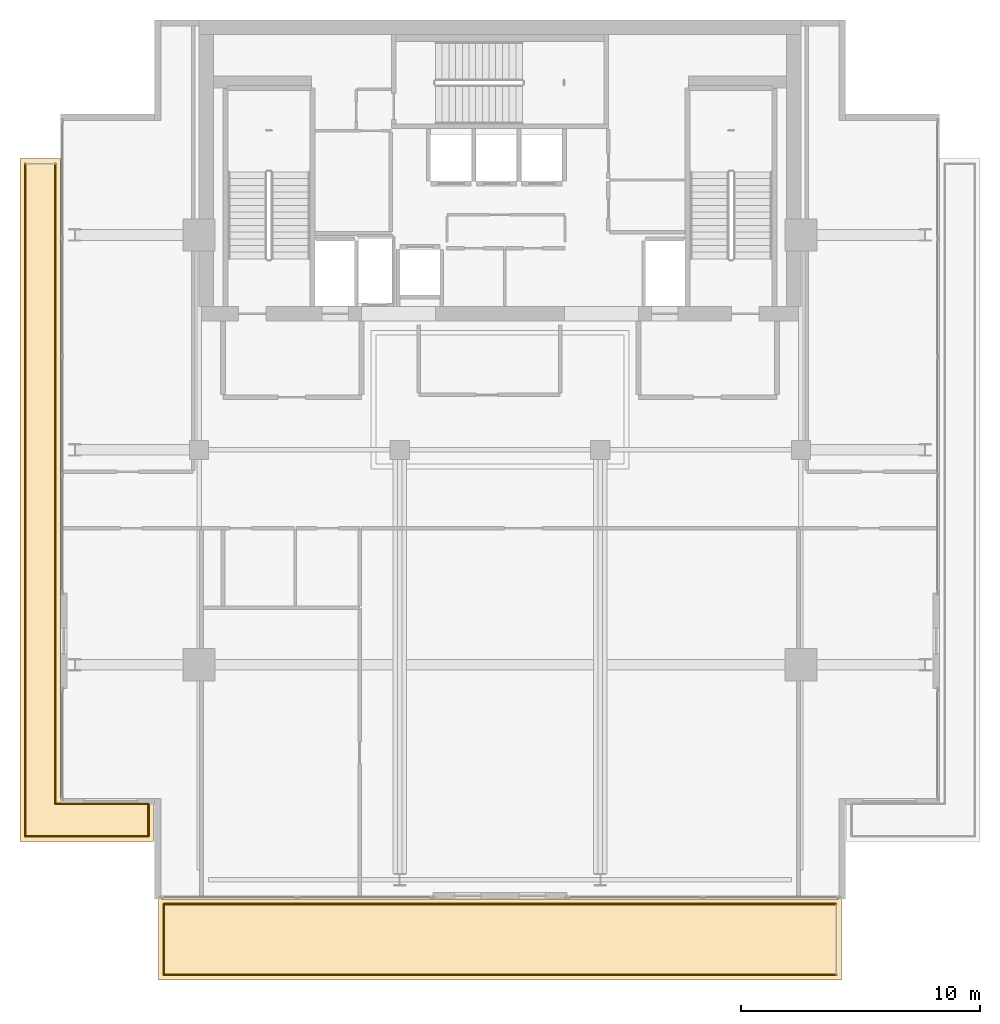
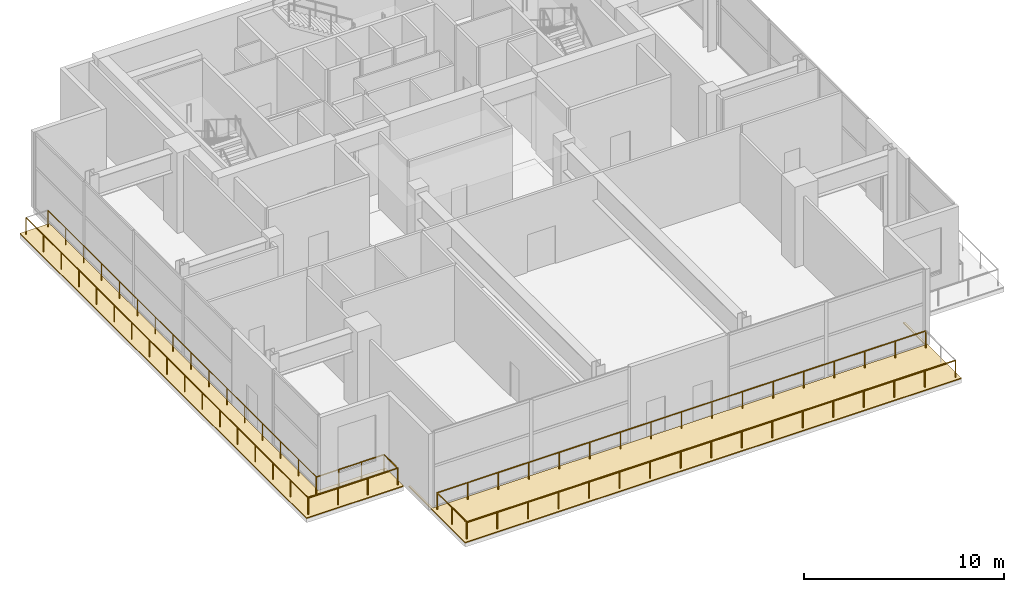
# One storey, part 19 of 22: 8 railings, 2 coverings.
"""IFC4 building model written with IfcOpenShell, lengths in metres."""

from ifc_helpers import new_model, si_unit, direction, frame, origin, origin_2d, place, context, subcontext, project, spatial, polyline, circle, outline, extrude, material, layer, layer_set, type_object, element, save


model = new_model("IFC4")

# Units and contexts
model_context = context("Model", 3, precision=1e-05, world=origin(), true_north=direction((0.0, 1.0)))
body_context = subcontext(model_context, "Body", "Model", "MODEL_VIEW")
ifc_project = project(units=[si_unit("LENGTHUNIT", "METRE"), si_unit("AREAUNIT", "SQUARE_METRE"), si_unit("VOLUMEUNIT", "CUBIC_METRE"), si_unit("PLANEANGLEUNIT", "RADIAN"), si_unit("MASSUNIT", "GRAM", prefix="KILO")], contexts=[model_context])

# Site, building, storey
site_placement = place(None, origin())
site = spatial("IfcSite", under=ifc_project, at=site_placement, CompositionType="ELEMENT")
building_placement = place(site_placement, origin())
building = spatial("IfcBuilding", under=site, at=building_placement, Name="Maruvema Waterfront Hotel and Observation Tower", CompositionType="ELEMENT")
storey_placement = place(building_placement, frame((0.0, 0.0, 354.199951171875)))
storey = spatial("IfcBuildingStorey", under=building, at=storey_placement, Name="L87", CompositionType="ELEMENT", Elevation=354.199951171875)

# Coverings
ifc_material_1 = material(Name="SBS modified bitumen waterproofing with granite ballast", Category="masonry")
ifc_layer = layer(ifc_material_1, 0.090087890625, Name="Elastomeric Waterproof Roof Membrane and Granite Ballast 90 mm")
ifc_layer_set = layer_set([ifc_layer], Name="SBS modified bitumen waterproofing with granite ballast")
covering_type = type_object("IfcCoveringType", Name="Elastomeric Waterproof Roof Membrane and Granite Ballast 90 mm", PredefinedType="ROOFING", material=ifc_layer_set)
covering_1_placement = place(storey_placement, origin())
element("IfcCovering", 1, at=covering_1_placement, inside=storey, type_object=covering_type, Name="L87 Setback Terrace Waterproofing and Pavers 1", PredefinedType="ROOFING", context=body_context, shape_type="SweptSolid", body=[
    extrude(outline(polyline([(17.699951171875, 48.199951171875), (19.39990234375, 48.199951171875), (19.39990234375, 21.39990234375), (23.300048828125, 21.39990234375), (23.300048828125, 19.60009765625), (17.699951171875, 19.60009765625), (17.699951171875, 48.199951171875)])), origin(), (0.0, 0.0, 1.0), 0.06005859375),
])
covering_2_placement = place(storey_placement, origin())
element("IfcCovering", 2, at=covering_2_placement, inside=storey, type_object=covering_type, Name="L87 Setback Terrace Waterproofing and Pavers 2", PredefinedType="ROOFING", context=body_context, shape_type="SweptSolid", body=[
    extrude(outline(polyline([(52.10009765625, 13.800048828125), (23.5, 13.800048828125), (23.5, 19.449951171875), (23.60009765625, 19.449951171875), (23.60009765625, 17.199951171875), (52.0, 17.199951171875), (52.0, 19.449951171875), (52.10009765625, 19.449951171875), (52.10009765625, 13.800048828125)])), origin(), (0.0, 0.0, 1.0), 0.06005859375),
])

# Railings
ifc_material_2 = material(Name="Brushed stainless steel Grade 316", Category="steel")
railing_type = type_object("IfcRailingType", Name="Ramp and Terrace Guard Balustrade 1100 mm", PredefinedType="BALUSTRADE", material=ifc_material_2)
railing_1_placement = place(storey_placement, frame((19.179931640625, 47.97998046875, 0.0)))
element("IfcRailing", 3, at=railing_1_placement, inside=storey, type_object=railing_type, Name="L87 Perimeter Safety Balustrade 2", PredefinedType="BALUSTRADE", context=body_context, shape_type="SweptSolid", body=[
    extrude(circle(Radius=0.02392578125, at=origin_2d()), frame((0.0, 0.0, 1.076171875), z_axis=(0.0, -1.0, 0.0), x_axis=(1.0, 0.0, 0.0)), (0.0, 0.0, 1.0), 26.800048828125),
    extrude(circle(Radius=0.02099609375, at=origin_2d()), origin(), (0.0, 0.0, 1.0), 1.052001953125),
    extrude(circle(Radius=0.02099609375, at=origin_2d()), frame((0.0, -1.78662109375, 0.0)), (0.0, 0.0, 1.0), 1.052001953125),
    extrude(circle(Radius=0.02099609375, at=origin_2d()), frame((0.0, -3.5732421875, 0.0)), (0.0, 0.0, 1.0), 1.052001953125),
    extrude(circle(Radius=0.02099609375, at=origin_2d()), frame((0.0, -5.360107421875, 0.0)), (0.0, 0.0, 1.0), 1.052001953125),
    extrude(circle(Radius=0.02099609375, at=origin_2d()), frame((0.0, -7.146728515625, 0.0)), (0.0, 0.0, 1.0), 1.052001953125),
    extrude(circle(Radius=0.02099609375, at=origin_2d()), frame((0.0, -8.933349609375, 0.0)), (0.0, 0.0, 1.0), 1.052001953125),
    extrude(circle(Radius=0.02099609375, at=origin_2d()), frame((0.0, -10.719970703125, 0.0)), (0.0, 0.0, 1.0), 1.052001953125),
    extrude(circle(Radius=0.02099609375, at=origin_2d()), frame((0.0, -12.506591796875, 0.0)), (0.0, 0.0, 1.0), 1.052001953125),
    extrude(circle(Radius=0.02099609375, at=origin_2d()), frame((0.0, -14.29345703125, 0.0)), (0.0, 0.0, 1.0), 1.052001953125),
    extrude(circle(Radius=0.02099609375, at=origin_2d()), frame((0.0, -16.080078125, 0.0)), (0.0, 0.0, 1.0), 1.052001953125),
    extrude(circle(Radius=0.02099609375, at=origin_2d()), frame((0.0, -17.86669921875, 0.0)), (0.0, 0.0, 1.0), 1.052001953125),
    extrude(circle(Radius=0.02099609375, at=origin_2d()), frame((0.0, -19.6533203125, 0.0)), (0.0, 0.0, 1.0), 1.052001953125),
    extrude(circle(Radius=0.02099609375, at=origin_2d()), frame((0.0, -21.43994140625, 0.0)), (0.0, 0.0, 1.0), 1.052001953125),
    extrude(circle(Radius=0.02099609375, at=origin_2d()), frame((0.0, -23.226806640625, 0.0)), (0.0, 0.0, 1.0), 1.052001953125),
    extrude(circle(Radius=0.02099609375, at=origin_2d()), frame((0.0, -25.013427734375, 0.0)), (0.0, 0.0, 1.0), 1.052001953125),
    extrude(circle(Radius=0.02099609375, at=origin_2d()), frame((0.0, -26.800048828125, 0.0)), (0.0, 0.0, 1.0), 1.052001953125),
])
railing_2_placement = place(storey_placement, frame((19.179931640625, 21.179931640625, 0.0)))
element("IfcRailing", 4, at=railing_2_placement, inside=storey, type_object=railing_type, Name="L87 Perimeter Safety Balustrade 3", PredefinedType="BALUSTRADE", context=body_context, shape_type="SweptSolid", body=[
    extrude(circle(Radius=0.02392578125, at=origin_2d()), frame((0.0, 0.0, 1.076171875), z_axis=(1.0, 0.0, 0.0), x_axis=(0.0, 1.0, 0.0)), (0.0, 0.0, 1.0), 3.900146484375),
    extrude(circle(Radius=0.02099609375, at=origin_2d()), origin(), (0.0, 0.0, 1.0), 1.052001953125),
    extrude(circle(Radius=0.02099609375, at=origin_2d()), frame((1.300048828125, 0.0, 0.0)), (0.0, 0.0, 1.0), 1.052001953125),
    extrude(circle(Radius=0.02099609375, at=origin_2d()), frame((2.60009765625, 0.0, 0.0)), (0.0, 0.0, 1.0), 1.052001953125),
    extrude(circle(Radius=0.02099609375, at=origin_2d()), frame((3.900146484375, 0.0, 0.0)), (0.0, 0.0, 1.0), 1.052001953125),
])
railing_3_placement = place(storey_placement, frame((23.080078125, 21.179931640625, 0.0)))
element("IfcRailing", 5, at=railing_3_placement, inside=storey, type_object=railing_type, Name="L87 Perimeter Safety Balustrade 4", PredefinedType="BALUSTRADE", context=body_context, shape_type="SweptSolid", body=[
    extrude(circle(Radius=0.02392578125, at=origin_2d()), frame((0.0, 0.0, 1.076171875), z_axis=(0.0, -1.0, 0.0), x_axis=(1.0, 0.0, 0.0)), (0.0, 0.0, 1.0), 1.35986328125),
    extrude(circle(Radius=0.02099609375, at=origin_2d()), origin(), (0.0, 0.0, 1.0), 1.052001953125),
    extrude(circle(Radius=0.02099609375, at=origin_2d()), frame((0.0, -1.35986328125, 0.0)), (0.0, 0.0, 1.0), 1.052001953125),
])
railing_4_placement = place(storey_placement, frame((23.080078125, 19.820068359375, 0.0)))
element("IfcRailing", 6, at=railing_4_placement, inside=storey, type_object=railing_type, Name="L87 Perimeter Safety Balustrade 5", PredefinedType="BALUSTRADE", context=body_context, shape_type="SweptSolid", body=[
    extrude(circle(Radius=0.02392578125, at=origin_2d()), frame((0.0, 0.0, 1.076171875), z_axis=(-1.0, 0.0, 0.0), x_axis=(0.0, -1.0, 0.0)), (0.0, 0.0, 1.0), 5.16015625),
    extrude(circle(Radius=0.02099609375, at=origin_2d()), origin(), (0.0, 0.0, 1.0), 1.052001953125),
    extrude(circle(Radius=0.02099609375, at=origin_2d()), frame((-1.719970703125, 0.0, 0.0)), (0.0, 0.0, 1.0), 1.052001953125),
    extrude(circle(Radius=0.02099609375, at=origin_2d()), frame((-3.440185546875, 0.0, 0.0)), (0.0, 0.0, 1.0), 1.052001953125),
    extrude(circle(Radius=0.02099609375, at=origin_2d()), frame((-5.16015625, 0.0, 0.0)), (0.0, 0.0, 1.0), 1.052001953125),
])
railing_5_placement = place(storey_placement, frame((17.919921875, 19.820068359375, 0.0)))
element("IfcRailing", 7, at=railing_5_placement, inside=storey, type_object=railing_type, Name="L87 Perimeter Safety Balustrade 6", PredefinedType="BALUSTRADE", context=body_context, shape_type="SweptSolid", body=[
    extrude(circle(Radius=0.02392578125, at=origin_2d()), frame((0.0, 0.0, 1.076171875), z_axis=(0.0, 1.0, 0.0), x_axis=(-1.0, 0.0, 0.0)), (0.0, 0.0, 1.0), 28.159912109375),
    extrude(circle(Radius=0.02099609375, at=origin_2d()), origin(), (0.0, 0.0, 1.0), 1.052001953125),
    extrude(circle(Radius=0.02099609375, at=origin_2d()), frame((0.0, 1.760009765625, 0.0)), (0.0, 0.0, 1.0), 1.052001953125),
    extrude(circle(Radius=0.02099609375, at=origin_2d()), frame((0.0, 3.52001953125, 0.0)), (0.0, 0.0, 1.0), 1.052001953125),
    extrude(circle(Radius=0.02099609375, at=origin_2d()), frame((0.0, 5.280029296875, 0.0)), (0.0, 0.0, 1.0), 1.052001953125),
    extrude(circle(Radius=0.02099609375, at=origin_2d()), frame((0.0, 7.0400390625, 0.0)), (0.0, 0.0, 1.0), 1.052001953125),
    extrude(circle(Radius=0.02099609375, at=origin_2d()), frame((0.0, 8.800048828125, 0.0)), (0.0, 0.0, 1.0), 1.052001953125),
    extrude(circle(Radius=0.02099609375, at=origin_2d()), frame((0.0, 10.56005859375, 0.0)), (0.0, 0.0, 1.0), 1.052001953125),
    extrude(circle(Radius=0.02099609375, at=origin_2d()), frame((0.0, 12.320068359375, 0.0)), (0.0, 0.0, 1.0), 1.052001953125),
    extrude(circle(Radius=0.02099609375, at=origin_2d()), frame((0.0, 14.080078125, 0.0)), (0.0, 0.0, 1.0), 1.052001953125),
    extrude(circle(Radius=0.02099609375, at=origin_2d()), frame((0.0, 15.83984375, 0.0)), (0.0, 0.0, 1.0), 1.052001953125),
    extrude(circle(Radius=0.02099609375, at=origin_2d()), frame((0.0, 17.599853515625, 0.0)), (0.0, 0.0, 1.0), 1.052001953125),
    extrude(circle(Radius=0.02099609375, at=origin_2d()), frame((0.0, 19.35986328125, 0.0)), (0.0, 0.0, 1.0), 1.052001953125),
    extrude(circle(Radius=0.02099609375, at=origin_2d()), frame((0.0, 21.119873046875, 0.0)), (0.0, 0.0, 1.0), 1.052001953125),
    extrude(circle(Radius=0.02099609375, at=origin_2d()), frame((0.0, 22.8798828125, 0.0)), (0.0, 0.0, 1.0), 1.052001953125),
    extrude(circle(Radius=0.02099609375, at=origin_2d()), frame((0.0, 24.639892578125, 0.0)), (0.0, 0.0, 1.0), 1.052001953125),
    extrude(circle(Radius=0.02099609375, at=origin_2d()), frame((0.0, 26.39990234375, 0.0)), (0.0, 0.0, 1.0), 1.052001953125),
    extrude(circle(Radius=0.02099609375, at=origin_2d()), frame((0.0, 28.159912109375, 0.0)), (0.0, 0.0, 1.0), 1.052001953125),
])
railing_6_placement = place(storey_placement, frame((23.719970703125, 16.97998046875, 0.0)))
element("IfcRailing", 8, at=railing_6_placement, inside=storey, type_object=railing_type, Name="L87 Perimeter Safety Balustrade 1", PredefinedType="BALUSTRADE", context=body_context, shape_type="SweptSolid", body=[
    extrude(circle(Radius=0.02392578125, at=origin_2d()), frame((0.0, 0.0, 1.076171875), z_axis=(1.0, 0.0, 0.0), x_axis=(0.0, 1.0, 0.0)), (0.0, 0.0, 1.0), 28.159912109375),
    extrude(circle(Radius=0.02099609375, at=origin_2d()), origin(), (0.0, 0.0, 1.0), 1.052001953125),
    extrude(circle(Radius=0.02099609375, at=origin_2d()), frame((1.760009765625, 0.0, 0.0)), (0.0, 0.0, 1.0), 1.052001953125),
    extrude(circle(Radius=0.02099609375, at=origin_2d()), frame((3.52001953125, 0.0, 0.0)), (0.0, 0.0, 1.0), 1.052001953125),
    extrude(circle(Radius=0.02099609375, at=origin_2d()), frame((5.280029296875, 0.0, 0.0)), (0.0, 0.0, 1.0), 1.052001953125),
    extrude(circle(Radius=0.02099609375, at=origin_2d()), frame((7.0400390625, 0.0, 0.0)), (0.0, 0.0, 1.0), 1.052001953125),
    extrude(circle(Radius=0.02099609375, at=origin_2d()), frame((8.800048828125, 0.0, 0.0)), (0.0, 0.0, 1.0), 1.052001953125),
    extrude(circle(Radius=0.02099609375, at=origin_2d()), frame((10.56005859375, 0.0, 0.0)), (0.0, 0.0, 1.0), 1.052001953125),
    extrude(circle(Radius=0.02099609375, at=origin_2d()), frame((12.320068359375, 0.0, 0.0)), (0.0, 0.0, 1.0), 1.052001953125),
    extrude(circle(Radius=0.02099609375, at=origin_2d()), frame((14.080078125, 0.0, 0.0)), (0.0, 0.0, 1.0), 1.052001953125),
    extrude(circle(Radius=0.02099609375, at=origin_2d()), frame((15.83984375, 0.0, 0.0)), (0.0, 0.0, 1.0), 1.052001953125),
    extrude(circle(Radius=0.02099609375, at=origin_2d()), frame((17.599853515625, 0.0, 0.0)), (0.0, 0.0, 1.0), 1.052001953125),
    extrude(circle(Radius=0.02099609375, at=origin_2d()), frame((19.35986328125, 0.0, 0.0)), (0.0, 0.0, 1.0), 1.052001953125),
    extrude(circle(Radius=0.02099609375, at=origin_2d()), frame((21.119873046875, 0.0, 0.0)), (0.0, 0.0, 1.0), 1.052001953125),
    extrude(circle(Radius=0.02099609375, at=origin_2d()), frame((22.8798828125, 0.0, 0.0)), (0.0, 0.0, 1.0), 1.052001953125),
    extrude(circle(Radius=0.02099609375, at=origin_2d()), frame((24.639892578125, 0.0, 0.0)), (0.0, 0.0, 1.0), 1.052001953125),
    extrude(circle(Radius=0.02099609375, at=origin_2d()), frame((26.39990234375, 0.0, 0.0)), (0.0, 0.0, 1.0), 1.052001953125),
    extrude(circle(Radius=0.02099609375, at=origin_2d()), frame((28.159912109375, 0.0, 0.0)), (0.0, 0.0, 1.0), 1.052001953125),
])
railing_7_placement = place(storey_placement, frame((51.8798828125, 14.02001953125, 0.0)))
element("IfcRailing", 9, at=railing_7_placement, inside=storey, type_object=railing_type, Name="L87 Perimeter Safety Balustrade 3", PredefinedType="BALUSTRADE", context=body_context, shape_type="SweptSolid", body=[
    extrude(circle(Radius=0.02392578125, at=origin_2d()), frame((0.0, 0.0, 1.076171875), z_axis=(-1.0, 0.0, 0.0), x_axis=(0.0, -1.0, 0.0)), (0.0, 0.0, 1.0), 28.159912109375),
    extrude(circle(Radius=0.02099609375, at=origin_2d()), origin(), (0.0, 0.0, 1.0), 1.052001953125),
    extrude(circle(Radius=0.02099609375, at=origin_2d()), frame((-1.760009765625, 0.0, 0.0)), (0.0, 0.0, 1.0), 1.052001953125),
    extrude(circle(Radius=0.02099609375, at=origin_2d()), frame((-3.52001953125, 0.0, 0.0)), (0.0, 0.0, 1.0), 1.052001953125),
    extrude(circle(Radius=0.02099609375, at=origin_2d()), frame((-5.280029296875, 0.0, 0.0)), (0.0, 0.0, 1.0), 1.052001953125),
    extrude(circle(Radius=0.02099609375, at=origin_2d()), frame((-7.0400390625, 0.0, 0.0)), (0.0, 0.0, 1.0), 1.052001953125),
    extrude(circle(Radius=0.02099609375, at=origin_2d()), frame((-8.800048828125, 0.0, 0.0)), (0.0, 0.0, 1.0), 1.052001953125),
    extrude(circle(Radius=0.02099609375, at=origin_2d()), frame((-10.56005859375, 0.0, 0.0)), (0.0, 0.0, 1.0), 1.052001953125),
    extrude(circle(Radius=0.02099609375, at=origin_2d()), frame((-12.320068359375, 0.0, 0.0)), (0.0, 0.0, 1.0), 1.052001953125),
    extrude(circle(Radius=0.02099609375, at=origin_2d()), frame((-14.080078125, 0.0, 0.0)), (0.0, 0.0, 1.0), 1.052001953125),
    extrude(circle(Radius=0.02099609375, at=origin_2d()), frame((-15.83984375, 0.0, 0.0)), (0.0, 0.0, 1.0), 1.052001953125),
    extrude(circle(Radius=0.02099609375, at=origin_2d()), frame((-17.599853515625, 0.0, 0.0)), (0.0, 0.0, 1.0), 1.052001953125),
    extrude(circle(Radius=0.02099609375, at=origin_2d()), frame((-19.35986328125, 0.0, 0.0)), (0.0, 0.0, 1.0), 1.052001953125),
    extrude(circle(Radius=0.02099609375, at=origin_2d()), frame((-21.119873046875, 0.0, 0.0)), (0.0, 0.0, 1.0), 1.052001953125),
    extrude(circle(Radius=0.02099609375, at=origin_2d()), frame((-22.8798828125, 0.0, 0.0)), (0.0, 0.0, 1.0), 1.052001953125),
    extrude(circle(Radius=0.02099609375, at=origin_2d()), frame((-24.639892578125, 0.0, 0.0)), (0.0, 0.0, 1.0), 1.052001953125),
    extrude(circle(Radius=0.02099609375, at=origin_2d()), frame((-26.39990234375, 0.0, 0.0)), (0.0, 0.0, 1.0), 1.052001953125),
    extrude(circle(Radius=0.02099609375, at=origin_2d()), frame((-28.159912109375, 0.0, 0.0)), (0.0, 0.0, 1.0), 1.052001953125),
])
railing_8_placement = place(storey_placement, frame((23.719970703125, 14.02001953125, 0.0)))
element("IfcRailing", 10, at=railing_8_placement, inside=storey, type_object=railing_type, Name="L87 Perimeter Safety Balustrade 4", PredefinedType="BALUSTRADE", context=body_context, shape_type="SweptSolid", body=[
    extrude(circle(Radius=0.02392578125, at=origin_2d()), frame((0.0, 0.0, 1.076171875), z_axis=(0.0, 1.0, 0.0), x_axis=(-1.0, 0.0, 0.0)), (0.0, 0.0, 1.0), 2.9599609375),
    extrude(circle(Radius=0.02099609375, at=origin_2d()), origin(), (0.0, 0.0, 1.0), 1.052001953125),
    extrude(circle(Radius=0.02099609375, at=origin_2d()), frame((0.0, 1.47998046875, 0.0)), (0.0, 0.0, 1.0), 1.052001953125),
    extrude(circle(Radius=0.02099609375, at=origin_2d()), frame((0.0, 2.9599609375, 0.0)), (0.0, 0.0, 1.0), 1.052001953125),
])

save(model, "model.ifc")
